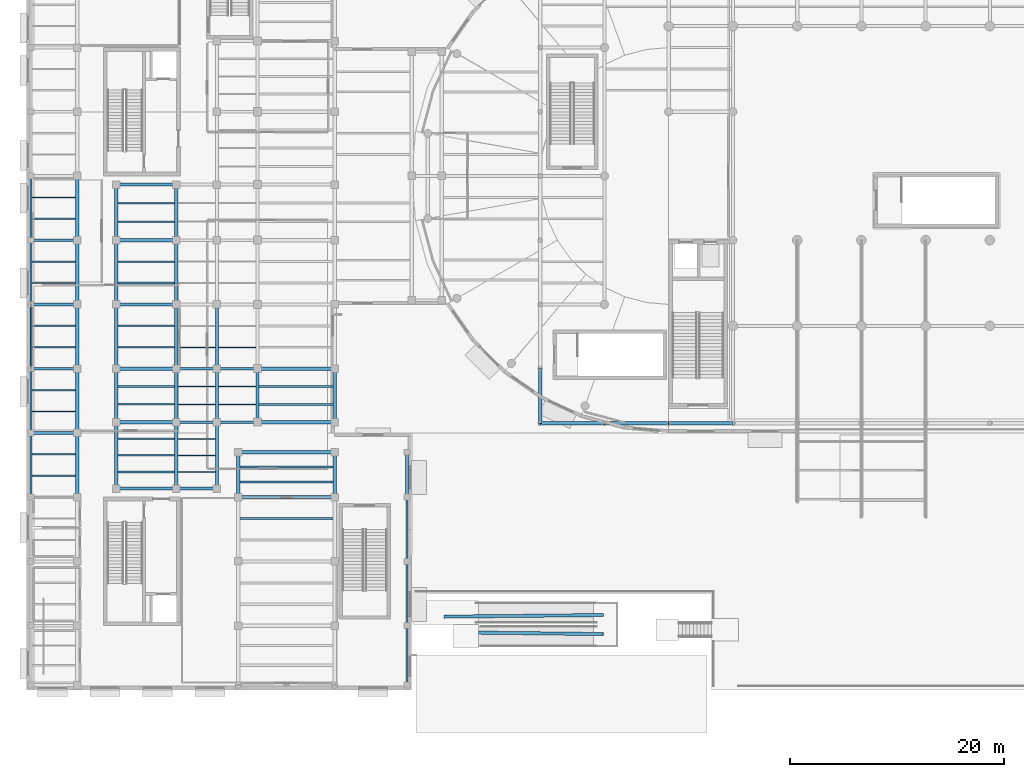
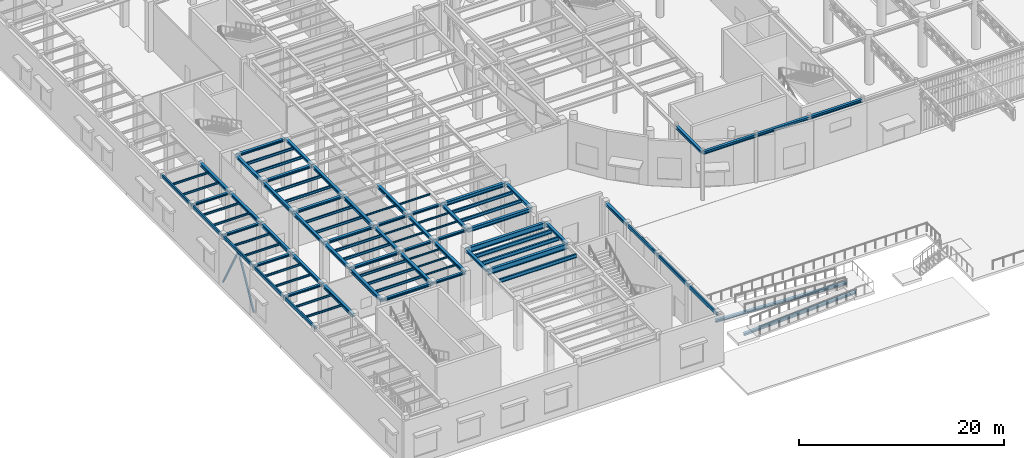
# One storey, part 19 of 118: 91 beams, 2 members.
"""IFC4 building model written with IfcOpenShell, lengths in metres."""

from ifc_helpers import new_model, si_unit, direction, frame, origin, origin_2d, place, context, subcontext, project, spatial, hollow_rectangle, i_section, extrude, material, material_profile, profile_set, type_object, element, save


model = new_model("IFC4")

# Units and contexts
model_context = context("Model", 3, precision=1e-05, world=origin(), true_north=direction((0.0, 1.0)))
body_context = subcontext(model_context, "Body", "Model", "MODEL_VIEW")
ifc_project = project(units=[si_unit("LENGTHUNIT", "METRE"), si_unit("AREAUNIT", "SQUARE_METRE"), si_unit("VOLUMEUNIT", "CUBIC_METRE"), si_unit("PLANEANGLEUNIT", "RADIAN"), si_unit("MASSUNIT", "GRAM", prefix="KILO")], contexts=[model_context])

# Site, building, storey
site_placement = place(None, origin())
site = spatial("IfcSite", under=ifc_project, at=site_placement, CompositionType="ELEMENT")
building_placement = place(site_placement, origin())
building = spatial("IfcBuilding", under=site, at=building_placement, Name="Kolvaren Corner Interchange", CompositionType="ELEMENT")
storey_placement = place(building_placement, origin())
storey = spatial("IfcBuildingStorey", under=building, at=storey_placement, Name="L01", CompositionType="ELEMENT", Elevation=0.0)

# Beams
ifc_material_1 = material(Name="Steel S355", Category="steel")
ifc_material_profile_1 = material_profile(ifc_material_1, i_section(OverallWidth=0.260009765625, OverallDepth=0.25, WebThickness=0.007568359375, FlangeThickness=0.012451171875, FilletRadius=0.02392578125, at=origin_2d()), Name="HEA 260")
ifc_profile_set_1 = profile_set([ifc_material_profile_1], Name="Steel S355")
beam_type_1 = type_object("IfcBeamType", Name="BM-HEA260", PredefinedType="BEAM", material=ifc_profile_set_1)
for number, where, z_axis, x_axis, name in (
    (1, (14.0, 18.800048828125, 5.625), (1.0, 0.0, 0.0), (0.0, 1.0, 0.0), "Storey L01 Grid X Primary Girder 0210"),
    (2, (14.0, 25.0, 5.625), (1.0, 0.0, 0.0), (0.0, 1.0, 0.0), "Storey L01 Grid X Primary Girder 0226"),
    (3, (17.800048828125, 25.0, 5.625), (1.0, 0.0, 0.0), (0.0, 1.0, 0.0), "Storey L01 Grid X Primary Girder 0227"),
    (4, (14.0, 30.0, 5.625), (1.0, 0.0, 0.0), (0.0, 1.0, 0.0), "Storey L01 Grid X Primary Girder 0230"),
    (5, (17.800048828125, 30.0, 5.625), (1.0, 0.0, 0.0), (0.0, 1.0, 0.0), "Storey L01 Grid X Primary Girder 0231"),
):
    element("IfcBeam", number, at=place(storey_placement, frame(where, z_axis=z_axis, x_axis=x_axis)), inside=storey, type_object=beam_type_1, Name=name, PredefinedType="BEAM", context=body_context, shape_type="SweptSolid", body=[
        extrude(i_section(OverallWidth=0.260009765625, OverallDepth=0.25, WebThickness=0.007568359375, FlangeThickness=0.012451171875, FilletRadius=0.02392578125, at=origin_2d()), origin(), (0.0, 0.0, 1.0), 3.800048828125),
    ])
for number, where, z_axis, x_axis, name in (
    (6, (0.449951171875, 24.0, 5.625), (1.0, 0.0, 0.0), (0.0, 1.0, 0.0), "Storey L01 Grid X Primary Girder 0393"),
    (7, (0.449951171875, 30.0, 5.625), (1.0, 0.0, 0.0), (0.0, 1.0, 0.0), "Storey L01 Grid X Primary Girder 0394"),
    (8, (0.449951171875, 36.0, 5.625), (1.0, 0.0, 0.0), (0.0, 1.0, 0.0), "Storey L01 Grid X Primary Girder 0397"),
    (9, (0.449951171875, 42.0, 5.625), (1.0, 0.0, 0.0), (0.0, 1.0, 0.0), "Storey L01 Grid X Primary Girder 0398"),
):
    element("IfcBeam", number, at=place(storey_placement, frame(where, z_axis=z_axis, x_axis=x_axis)), inside=storey, type_object=beam_type_1, Name=name, PredefinedType="BEAM", context=body_context, shape_type="SweptSolid", body=[
        extrude(i_section(OverallWidth=0.260009765625, OverallDepth=0.25, WebThickness=0.007568359375, FlangeThickness=0.012451171875, FilletRadius=0.02392578125, at=origin_2d()), origin(), (0.0, 0.0, 1.0), 4.300048828125),
    ])
ifc_material_2 = material(Name="Steel S355", Category="steel")
ifc_material_profile_2 = material_profile(ifc_material_2, i_section(OverallWidth=0.300048828125, OverallDepth=0.2900390625, WebThickness=0.008544921875, FlangeThickness=0.013916015625, FilletRadius=0.027099609375, at=origin_2d()), Name="HEA 300")
ifc_profile_set_2 = profile_set([ifc_material_profile_2], Name="Steel S355")
beam_type_2 = type_object("IfcBeamType", Name="BM-HEA300", PredefinedType="BEAM", material=ifc_profile_set_2)
beam_1_placement = place(storey_placement, frame((41.31005859375, 5.360107421875, -1.820068359375), z_axis=(0.998156655255, -0.011913488908, 0.059509329962), x_axis=(0.011934640082, 0.999928779647, 0.0)))
element("IfcBeam", 10, at=beam_1_placement, inside=storey, type_object=beam_type_2, Name="South Forecourt Accessible Plinth Ramp Lower Sloped Spine Beam", PredefinedType="BEAM", context=body_context, shape_type="SweptSolid", body=[
    extrude(i_section(OverallWidth=0.300048828125, OverallDepth=0.2900390625, WebThickness=0.008544921875, FlangeThickness=0.013916015625, FilletRadius=0.027099609375, at=origin_2d()), origin(), (0.0, 0.0, 1.0), 12.60302734375),
])
beam_2_placement = place(storey_placement, frame((53.889892578125, 6.989990234375, -1.070068359375), z_axis=(-0.99868160488, -0.010060879855, 0.05033717087), x_axis=(0.010073650412, -0.999949259496, 0.0)))
element("IfcBeam", 11, at=beam_2_placement, inside=storey, type_object=beam_type_2, Name="South Forecourt Accessible Plinth Ramp Upper Sloped Spine Beam", PredefinedType="BEAM", context=body_context, shape_type="SweptSolid", body=[
    extrude(i_section(OverallWidth=0.300048828125, OverallDepth=0.2900390625, WebThickness=0.008544921875, FlangeThickness=0.013916015625, FilletRadius=0.027099609375, at=origin_2d()), origin(), (0.0, 0.0, 1.0), 14.8994140625),
])
for number, where, z_axis, x_axis, name in (
    (12, (8.39990234375, 18.800048828125, 5.60498046875), (1.0, 0.0, 0.0), (0.0, 1.0, 0.0), "Storey L01 Grid X Primary Girder 0209"),
    (13, (8.39990234375, 25.0, 5.60498046875), (1.0, 0.0, 0.0), (0.0, 1.0, 0.0), "Storey L01 Grid X Primary Girder 0225"),
    (14, (8.39990234375, 30.0, 5.60498046875), (1.0, 0.0, 0.0), (0.0, 1.0, 0.0), "Storey L01 Grid X Primary Girder 0229"),
    (15, (8.39990234375, 36.0, 5.60498046875), (1.0, 0.0, 0.0), (0.0, 1.0, 0.0), "Storey L01 Grid X Primary Girder 0242"),
    (16, (8.39990234375, 42.0, 5.60498046875), (1.0, 0.0, 0.0), (0.0, 1.0, 0.0), "Storey L01 Grid X Primary Girder 0249"),
    (17, (8.39990234375, 47.199951171875, 5.60498046875), (1.0, 0.0, 0.0), (0.0, 1.0, 0.0), "Storey L01 Grid X Primary Girder 0254"),
):
    element("IfcBeam", number, at=place(storey_placement, frame(where, z_axis=z_axis, x_axis=x_axis)), inside=storey, type_object=beam_type_2, Name=name, PredefinedType="BEAM", context=body_context, shape_type="SweptSolid", body=[
        extrude(i_section(OverallWidth=0.300048828125, OverallDepth=0.2900390625, WebThickness=0.008544921875, FlangeThickness=0.013916015625, FilletRadius=0.027099609375, at=origin_2d()), origin(), (0.0, 0.0, 1.0), 5.60009765625),
    ])
ifc_material_3 = material(Name="Steel S355", Category="steel")
ifc_material_profile_3 = material_profile(ifc_material_3, i_section(OverallWidth=0.300048828125, OverallDepth=0.31005859375, WebThickness=0.009033203125, FlangeThickness=0.015380859375, FilletRadius=0.027099609375, at=origin_2d()), Name="HEA 320")
ifc_profile_set_3 = profile_set([ifc_material_profile_3], Name="Steel S355")
beam_type_3 = type_object("IfcBeamType", Name="BM-HEA320", PredefinedType="BEAM", material=ifc_profile_set_3)
beam_3_placement = place(storey_placement, frame((8.39990234375, 25.0, 5.594970703125), z_axis=(0.0, 1.0, 0.0), x_axis=(-1.0, 0.0, 0.0)))
element("IfcBeam", 18, at=beam_3_placement, inside=storey, type_object=beam_type_3, Name="Storey L01 Grid Y Primary Girder 0296", PredefinedType="BEAM", context=body_context, shape_type="SweptSolid", body=[
    extrude(i_section(OverallWidth=0.300048828125, OverallDepth=0.31005859375, WebThickness=0.009033203125, FlangeThickness=0.015380859375, FilletRadius=0.027099609375, at=origin_2d()), origin(), (0.0, 0.0, 1.0), 5.0),
])
beam_4_placement = place(storey_placement, frame((8.39990234375, 42.0, 5.594970703125), z_axis=(0.0, 1.0, 0.0), x_axis=(-1.0, 0.0, 0.0)))
element("IfcBeam", 19, at=beam_4_placement, inside=storey, type_object=beam_type_3, Name="Storey L01 Grid Y Primary Girder 0299", PredefinedType="BEAM", context=body_context, shape_type="SweptSolid", body=[
    extrude(i_section(OverallWidth=0.300048828125, OverallDepth=0.31005859375, WebThickness=0.009033203125, FlangeThickness=0.015380859375, FilletRadius=0.027099609375, at=origin_2d()), origin(), (0.0, 0.0, 1.0), 5.199951171875),
])
beam_5_placement = place(storey_placement, frame((14.0, 25.0, 5.594970703125), z_axis=(0.0, 1.0, 0.0), x_axis=(-1.0, 0.0, 0.0)))
element("IfcBeam", 20, at=beam_5_placement, inside=storey, type_object=beam_type_3, Name="Storey L01 Grid Y Primary Girder 0301", PredefinedType="BEAM", context=body_context, shape_type="SweptSolid", body=[
    extrude(i_section(OverallWidth=0.300048828125, OverallDepth=0.31005859375, WebThickness=0.009033203125, FlangeThickness=0.015380859375, FilletRadius=0.027099609375, at=origin_2d()), origin(), (0.0, 0.0, 1.0), 5.0),
])
beam_6_placement = place(storey_placement, frame((14.0, 42.0, 5.594970703125), z_axis=(0.0, 1.0, 0.0), x_axis=(-1.0, 0.0, 0.0)))
element("IfcBeam", 21, at=beam_6_placement, inside=storey, type_object=beam_type_3, Name="Storey L01 Grid Y Primary Girder 0304", PredefinedType="BEAM", context=body_context, shape_type="SweptSolid", body=[
    extrude(i_section(OverallWidth=0.300048828125, OverallDepth=0.31005859375, WebThickness=0.009033203125, FlangeThickness=0.015380859375, FilletRadius=0.027099609375, at=origin_2d()), origin(), (0.0, 0.0, 1.0), 5.199951171875),
])
for number, where, z_axis, x_axis, name in (
    (22, (17.800048828125, 25.0, 5.594970703125), (0.0, 1.0, 0.0), (-1.0, 0.0, 0.0), "Storey L01 Grid Y Primary Girder 0306"),
    (23, (21.60009765625, 25.0, 5.594970703125), (0.0, 1.0, 0.0), (-1.0, 0.0, 0.0), "Storey L01 Grid Y Primary Girder 0312"),
    (24, (28.800048828125, 25.0, 5.594970703125), (0.0, 1.0, 0.0), (-1.0, 0.0, 0.0), "Storey L01 Grid Y Primary Girder 0320"),
):
    element("IfcBeam", number, at=place(storey_placement, frame(where, z_axis=z_axis, x_axis=x_axis)), inside=storey, type_object=beam_type_3, Name=name, PredefinedType="BEAM", context=body_context, shape_type="SweptSolid", body=[
        extrude(i_section(OverallWidth=0.300048828125, OverallDepth=0.31005859375, WebThickness=0.009033203125, FlangeThickness=0.015380859375, FilletRadius=0.027099609375, at=origin_2d()), origin(), (0.0, 0.0, 1.0), 5.0),
    ])
beam_7_placement = place(storey_placement, frame((48.0, 24.89990234375, 5.594970703125), z_axis=(0.0, 1.0, 0.0), x_axis=(-1.0, 0.0, 0.0)))
element("IfcBeam", 25, at=beam_7_placement, inside=storey, type_object=beam_type_3, Name="Storey L01 Grid Y Primary Girder 0333", PredefinedType="BEAM", context=body_context, shape_type="SweptSolid", body=[
    extrude(i_section(OverallWidth=0.300048828125, OverallDepth=0.31005859375, WebThickness=0.009033203125, FlangeThickness=0.015380859375, FilletRadius=0.027099609375, at=origin_2d()), origin(), (0.0, 0.0, 1.0), 5.10009765625),
])
for number, where, z_axis, x_axis, name in (
    (26, (19.800048828125, 18.0, 5.594970703125), (0.0, 1.0, 0.0), (-1.0, 0.0, 0.0), "Storey L01 Grid Y Primary Girder 0481"),
    (27, (28.800048828125, 18.0, 5.594970703125), (0.0, 1.0, 0.0), (-1.0, 0.0, 0.0), "Storey L01 Grid Y Primary Girder 0487"),
    (28, (35.550048828125, 18.0, 5.594970703125), (0.0, 1.0, 0.0), (-1.0, 0.0, 0.0), "Storey L01 Grid Y Primary Girder 0493"),
):
    element("IfcBeam", number, at=place(storey_placement, frame(where, z_axis=z_axis, x_axis=x_axis)), inside=storey, type_object=beam_type_3, Name=name, PredefinedType="BEAM", context=body_context, shape_type="SweptSolid", body=[
        extrude(i_section(OverallWidth=0.300048828125, OverallDepth=0.31005859375, WebThickness=0.009033203125, FlangeThickness=0.015380859375, FilletRadius=0.027099609375, at=origin_2d()), origin(), (0.0, 0.0, 1.0), 4.199951171875),
    ])
ifc_material_4 = material(Name="Steel S355", Category="steel")
ifc_material_profile_4 = material_profile(ifc_material_4, i_section(OverallWidth=0.300048828125, OverallDepth=0.35009765625, WebThickness=0.010009765625, FlangeThickness=0.017578125, FilletRadius=0.027099609375, at=origin_2d()), Name="HEA 360")
ifc_profile_set_4 = profile_set([ifc_material_profile_4], Name="Steel S355")
beam_type_4 = type_object("IfcBeamType", Name="BM-HEA360", PredefinedType="BEAM", material=ifc_profile_set_4)
for number, where, z_axis, x_axis, name in (
    (29, (48.0, 24.89990234375, 5.574951171875), (1.0, 0.0, 0.0), (0.0, 1.0, 0.0), "Storey L01 Grid X Primary Girder 0211"),
    (30, (54.0, 24.89990234375, 5.574951171875), (1.0, 0.0, 0.0), (0.0, 1.0, 0.0), "Storey L01 Grid X Primary Girder 0212"),
    (31, (60.0, 24.89990234375, 5.574951171875), (1.0, 0.0, 0.0), (0.0, 1.0, 0.0), "Storey L01 Grid X Primary Girder 0213"),
):
    element("IfcBeam", number, at=place(storey_placement, frame(where, z_axis=z_axis, x_axis=x_axis)), inside=storey, type_object=beam_type_4, Name=name, PredefinedType="BEAM", context=body_context, shape_type="SweptSolid", body=[
        extrude(i_section(OverallWidth=0.300048828125, OverallDepth=0.35009765625, WebThickness=0.010009765625, FlangeThickness=0.017578125, FilletRadius=0.027099609375, at=origin_2d()), origin(), (0.0, 0.0, 1.0), 6.0),
    ])
ifc_material_5 = material(Name="Steel S355", Category="steel")
ifc_material_profile_5 = material_profile(ifc_material_5, i_section(OverallWidth=0.300048828125, OverallDepth=0.389892578125, WebThickness=0.010986328125, FlangeThickness=0.01904296875, FilletRadius=0.027099609375, at=origin_2d()), Name="HEA 400")
ifc_profile_set_5 = profile_set([ifc_material_profile_5], Name="Steel S355")
beam_type_5 = type_object("IfcBeamType", Name="BM-HEA400", PredefinedType="BEAM", material=ifc_profile_set_5)
beam_8_placement = place(storey_placement, frame((8.39990234375, 18.800048828125, 5.554931640625), z_axis=(0.0, 1.0, 0.0), x_axis=(-1.0, 0.0, 0.0)))
element("IfcBeam", 32, at=beam_8_placement, inside=storey, type_object=beam_type_5, Name="Storey L01 Grid Y Primary Girder 0295", PredefinedType="BEAM", context=body_context, shape_type="SweptSolid", body=[
    extrude(i_section(OverallWidth=0.300048828125, OverallDepth=0.389892578125, WebThickness=0.010986328125, FlangeThickness=0.01904296875, FilletRadius=0.027099609375, at=origin_2d()), origin(), (0.0, 0.0, 1.0), 6.199951171875),
])
for number, where, z_axis, x_axis, name in (
    (33, (8.39990234375, 30.0, 5.554931640625), (0.0, 1.0, 0.0), (-1.0, 0.0, 0.0), "Storey L01 Grid Y Primary Girder 0297"),
    (34, (8.39990234375, 36.0, 5.554931640625), (0.0, 1.0, 0.0), (-1.0, 0.0, 0.0), "Storey L01 Grid Y Primary Girder 0298"),
):
    element("IfcBeam", number, at=place(storey_placement, frame(where, z_axis=z_axis, x_axis=x_axis)), inside=storey, type_object=beam_type_5, Name=name, PredefinedType="BEAM", context=body_context, shape_type="SweptSolid", body=[
        extrude(i_section(OverallWidth=0.300048828125, OverallDepth=0.389892578125, WebThickness=0.010986328125, FlangeThickness=0.01904296875, FilletRadius=0.027099609375, at=origin_2d()), origin(), (0.0, 0.0, 1.0), 6.0),
    ])
beam_9_placement = place(storey_placement, frame((14.0, 18.800048828125, 5.554931640625), z_axis=(0.0, 1.0, 0.0), x_axis=(-1.0, 0.0, 0.0)))
element("IfcBeam", 35, at=beam_9_placement, inside=storey, type_object=beam_type_5, Name="Storey L01 Grid Y Primary Girder 0300", PredefinedType="BEAM", context=body_context, shape_type="SweptSolid", body=[
    extrude(i_section(OverallWidth=0.300048828125, OverallDepth=0.389892578125, WebThickness=0.010986328125, FlangeThickness=0.01904296875, FilletRadius=0.027099609375, at=origin_2d()), origin(), (0.0, 0.0, 1.0), 6.199951171875),
])
for number, where, z_axis, x_axis, name in (
    (36, (14.0, 30.0, 5.554931640625), (0.0, 1.0, 0.0), (-1.0, 0.0, 0.0), "Storey L01 Grid Y Primary Girder 0302"),
    (37, (14.0, 36.0, 5.554931640625), (0.0, 1.0, 0.0), (-1.0, 0.0, 0.0), "Storey L01 Grid Y Primary Girder 0303"),
):
    element("IfcBeam", number, at=place(storey_placement, frame(where, z_axis=z_axis, x_axis=x_axis)), inside=storey, type_object=beam_type_5, Name=name, PredefinedType="BEAM", context=body_context, shape_type="SweptSolid", body=[
        extrude(i_section(OverallWidth=0.300048828125, OverallDepth=0.389892578125, WebThickness=0.010986328125, FlangeThickness=0.01904296875, FilletRadius=0.027099609375, at=origin_2d()), origin(), (0.0, 0.0, 1.0), 6.0),
    ])
beam_10_placement = place(storey_placement, frame((17.800048828125, 18.800048828125, 5.554931640625), z_axis=(0.0, 1.0, 0.0), x_axis=(-1.0, 0.0, 0.0)))
element("IfcBeam", 38, at=beam_10_placement, inside=storey, type_object=beam_type_5, Name="Storey L01 Grid Y Primary Girder 0305", PredefinedType="BEAM", context=body_context, shape_type="SweptSolid", body=[
    extrude(i_section(OverallWidth=0.300048828125, OverallDepth=0.389892578125, WebThickness=0.010986328125, FlangeThickness=0.01904296875, FilletRadius=0.027099609375, at=origin_2d()), origin(), (0.0, 0.0, 1.0), 6.199951171875),
])
for number, where, z_axis, x_axis, name in (
    (39, (17.800048828125, 30.0, 5.554931640625), (0.0, 1.0, 0.0), (-1.0, 0.0, 0.0), "Storey L01 Grid Y Primary Girder 0307"),
    (40, (4.75, 18.0, 5.554931640625), (0.0, 1.0, 0.0), (-1.0, 0.0, 0.0), "Storey L01 Grid Y Primary Girder 0465"),
    (41, (4.75, 24.0, 5.554931640625), (0.0, 1.0, 0.0), (-1.0, 0.0, 0.0), "Storey L01 Grid Y Primary Girder 0466"),
    (42, (4.75, 30.0, 5.554931640625), (0.0, 1.0, 0.0), (-1.0, 0.0, 0.0), "Storey L01 Grid Y Primary Girder 0467"),
    (43, (4.75, 36.0, 5.554931640625), (0.0, 1.0, 0.0), (-1.0, 0.0, 0.0), "Storey L01 Grid Y Primary Girder 0468"),
    (44, (4.75, 42.0, 5.554931640625), (0.0, 1.0, 0.0), (-1.0, 0.0, 0.0), "Storey L01 Grid Y Primary Girder 0469"),
):
    element("IfcBeam", number, at=place(storey_placement, frame(where, z_axis=z_axis, x_axis=x_axis)), inside=storey, type_object=beam_type_5, Name=name, PredefinedType="BEAM", context=body_context, shape_type="SweptSolid", body=[
        extrude(i_section(OverallWidth=0.300048828125, OverallDepth=0.389892578125, WebThickness=0.010986328125, FlangeThickness=0.01904296875, FilletRadius=0.027099609375, at=origin_2d()), origin(), (0.0, 0.0, 1.0), 6.0),
    ])
ifc_material_6 = material(Name="Steel S355", Category="steel")
ifc_material_profile_6 = material_profile(ifc_material_6, i_section(OverallWidth=0.300048828125, OverallDepth=0.43994140625, WebThickness=0.011474609375, FlangeThickness=0.02099609375, FilletRadius=0.027099609375, at=origin_2d()), Name="HEA 450")
ifc_profile_set_6 = profile_set([ifc_material_profile_6], Name="Steel S355")
beam_type_6 = type_object("IfcBeamType", Name="BM-HEA450", PredefinedType="BEAM", material=ifc_profile_set_6)
for number, where, z_axis, x_axis, name in (
    (45, (21.60009765625, 25.0, 5.530029296875), (1.0, 0.0, 0.0), (0.0, 1.0, 0.0), "Storey L01 Grid X Primary Girder 0228"),
    (46, (21.60009765625, 30.0, 5.530029296875), (1.0, 0.0, 0.0), (0.0, 1.0, 0.0), "Storey L01 Grid X Primary Girder 0232"),
):
    element("IfcBeam", number, at=place(storey_placement, frame(where, z_axis=z_axis, x_axis=x_axis)), inside=storey, type_object=beam_type_6, Name=name, PredefinedType="BEAM", context=body_context, shape_type="SweptSolid", body=[
        extrude(i_section(OverallWidth=0.300048828125, OverallDepth=0.43994140625, WebThickness=0.011474609375, FlangeThickness=0.02099609375, FilletRadius=0.027099609375, at=origin_2d()), origin(), (0.0, 0.0, 1.0), 7.199951171875),
    ])
ifc_material_7 = material(Name="Steel S355", Category="steel")
ifc_material_profile_7 = material_profile(ifc_material_7, i_section(OverallWidth=0.300048828125, OverallDepth=0.639892578125, WebThickness=0.013427734375, FlangeThickness=0.02587890625, FilletRadius=0.027099609375, at=origin_2d()), Name="HEA 650")
ifc_profile_set_7 = profile_set([ifc_material_profile_7], Name="Steel S355")
beam_type_7 = type_object("IfcBeamType", Name="BM-HEA650", PredefinedType="BEAM", material=ifc_profile_set_7)
for number, where, z_axis, x_axis, name in (
    (47, (19.800048828125, 18.0, 5.429931640625), (1.0, 0.0, 0.0), (0.0, 1.0, 0.0), "Storey L01 Grid X Primary Girder 0388"),
    (48, (19.800048828125, 22.199951171875, 5.429931640625), (1.0, 0.0, 0.0), (0.0, 1.0, 0.0), "Storey L01 Grid X Primary Girder 0392"),
):
    element("IfcBeam", number, at=place(storey_placement, frame(where, z_axis=z_axis, x_axis=x_axis)), inside=storey, type_object=beam_type_7, Name=name, PredefinedType="BEAM", context=body_context, shape_type="SweptSolid", body=[
        extrude(i_section(OverallWidth=0.300048828125, OverallDepth=0.639892578125, WebThickness=0.013427734375, FlangeThickness=0.02587890625, FilletRadius=0.027099609375, at=origin_2d()), origin(), (0.0, 0.0, 1.0), 9.0),
    ])
ifc_material_8 = material(Name="Steel S355", Category="steel")
ifc_material_profile_8 = material_profile(ifc_material_8, i_section(OverallWidth=0.10009765625, OverallDepth=0.199951171875, WebThickness=0.005615234375, FlangeThickness=0.008544921875, FilletRadius=0.011962890625, at=origin_2d()), Name="IPE 200")
ifc_profile_set_8 = profile_set([ifc_material_profile_8], Name="Steel S355")
beam_type_8 = type_object("IfcBeamType", Name="JS-IPE200", PredefinedType="JOIST", material=ifc_profile_set_8)
for number, where, z_axis, x_axis, name in (
    (49, (14.14990234375, 20.35009765625, 5.64990234375), (1.0, 0.0, 0.0), (0.0, 1.0, 0.0), "Storey L01 Composite Floor Joist 0249"),
    (50, (14.14990234375, 21.89990234375, 5.64990234375), (1.0, 0.0, 0.0), (0.0, 1.0, 0.0), "Storey L01 Composite Floor Joist 0250"),
    (51, (14.14990234375, 23.449951171875, 5.64990234375), (1.0, 0.0, 0.0), (0.0, 1.0, 0.0), "Storey L01 Composite Floor Joist 0251"),
    (52, (14.14990234375, 26.666748046875, 5.64990234375), (1.0, 0.0, 0.0), (0.0, 1.0, 0.0), "Storey L01 Composite Floor Joist 0252"),
    (53, (14.14990234375, 28.333251953125, 5.64990234375), (1.0, 0.0, 0.0), (0.0, 1.0, 0.0), "Storey L01 Composite Floor Joist 0253"),
    (54, (14.14990234375, 32.0, 5.64990234375), (1.0, 0.0, 0.0), (0.0, 1.0, 0.0), "Storey L01 Composite Floor Joist 0254"),
    (55, (17.949951171875, 26.666748046875, 5.64990234375), (1.0, 0.0, 0.0), (0.0, 1.0, 0.0), "Storey L01 Composite Floor Joist 0260"),
    (56, (17.949951171875, 28.333251953125, 5.64990234375), (1.0, 0.0, 0.0), (0.0, 1.0, 0.0), "Storey L01 Composite Floor Joist 0261"),
    (57, (17.949951171875, 32.0, 5.64990234375), (1.0, 0.0, 0.0), (0.0, 1.0, 0.0), "Storey L01 Composite Floor Joist 0262"),
):
    element("IfcBeam", number, at=place(storey_placement, frame(where, z_axis=z_axis, x_axis=x_axis)), inside=storey, type_object=beam_type_8, Name=name, PredefinedType="JOIST", context=body_context, shape_type="SweptSolid", body=[
        extrude(i_section(OverallWidth=0.10009765625, OverallDepth=0.199951171875, WebThickness=0.005615234375, FlangeThickness=0.008544921875, FilletRadius=0.011962890625, at=origin_2d()), origin(), (0.0, 0.0, 1.0), 3.5),
    ])
ifc_material_9 = material(Name="Steel S355", Category="steel")
ifc_material_profile_9 = material_profile(ifc_material_9, i_section(OverallWidth=0.1201171875, OverallDepth=0.239990234375, WebThickness=0.006103515625, FlangeThickness=0.009765625, FilletRadius=0.014892578125, at=origin_2d()), Name="IPE 240")
ifc_profile_set_9 = profile_set([ifc_material_profile_9], Name="Steel S355")
beam_type_9 = type_object("IfcBeamType", Name="JS-IPE240", PredefinedType="JOIST", material=ifc_profile_set_9)
for number, where, z_axis, x_axis, name in (
    (58, (0.550048828125, 20.0, 5.6298828125), (1.0, 0.0, 0.0), (0.0, 1.0, 0.0), "Storey L01 Composite Floor Joist 0394"),
    (59, (0.550048828125, 22.0, 5.6298828125), (1.0, 0.0, 0.0), (0.0, 1.0, 0.0), "Storey L01 Composite Floor Joist 0395"),
    (60, (0.550048828125, 26.0, 5.6298828125), (1.0, 0.0, 0.0), (0.0, 1.0, 0.0), "Storey L01 Composite Floor Joist 0396"),
    (61, (0.550048828125, 28.0, 5.6298828125), (1.0, 0.0, 0.0), (0.0, 1.0, 0.0), "Storey L01 Composite Floor Joist 0397"),
    (62, (0.550048828125, 32.0, 5.6298828125), (1.0, 0.0, 0.0), (0.0, 1.0, 0.0), "Storey L01 Composite Floor Joist 0398"),
    (63, (0.550048828125, 34.0, 5.6298828125), (1.0, 0.0, 0.0), (0.0, 1.0, 0.0), "Storey L01 Composite Floor Joist 0399"),
    (64, (0.550048828125, 38.0, 5.6298828125), (1.0, 0.0, 0.0), (0.0, 1.0, 0.0), "Storey L01 Composite Floor Joist 0400"),
    (65, (0.550048828125, 40.0, 5.6298828125), (1.0, 0.0, 0.0), (0.0, 1.0, 0.0), "Storey L01 Composite Floor Joist 0401"),
    (66, (0.550048828125, 44.0, 5.6298828125), (1.0, 0.0, 0.0), (0.0, 1.0, 0.0), "Storey L01 Composite Floor Joist 0402"),
    (67, (0.550048828125, 46.0, 5.6298828125), (1.0, 0.0, 0.0), (0.0, 1.0, 0.0), "Storey L01 Composite Floor Joist 0403"),
):
    element("IfcBeam", number, at=place(storey_placement, frame(where, z_axis=z_axis, x_axis=x_axis)), inside=storey, type_object=beam_type_9, Name=name, PredefinedType="JOIST", context=body_context, shape_type="SweptSolid", body=[
        extrude(i_section(OverallWidth=0.1201171875, OverallDepth=0.239990234375, WebThickness=0.006103515625, FlangeThickness=0.009765625, FilletRadius=0.014892578125, at=origin_2d()), origin(), (0.0, 0.0, 1.0), 4.050048828125),
    ])
ifc_material_10 = material(Name="Steel S355", Category="steel")
ifc_material_profile_10 = material_profile(ifc_material_10, i_section(OverallWidth=0.14990234375, OverallDepth=0.300048828125, WebThickness=0.007080078125, FlangeThickness=0.0107421875, FilletRadius=0.014892578125, at=origin_2d()), Name="IPE 300")
ifc_profile_set_10 = profile_set([ifc_material_profile_10], Name="Steel S355")
beam_type_10 = type_object("IfcBeamType", Name="JS-IPE300", PredefinedType="JOIST", material=ifc_profile_set_10)
for number, where, z_axis, x_axis, name in (
    (68, (8.550048828125, 20.35009765625, 5.60009765625), (1.0, 0.0, 0.0), (0.0, 1.0, 0.0), "Storey L01 Composite Floor Joist 0238"),
    (69, (8.550048828125, 21.89990234375, 5.60009765625), (1.0, 0.0, 0.0), (0.0, 1.0, 0.0), "Storey L01 Composite Floor Joist 0239"),
    (70, (8.550048828125, 23.449951171875, 5.60009765625), (1.0, 0.0, 0.0), (0.0, 1.0, 0.0), "Storey L01 Composite Floor Joist 0240"),
    (71, (8.550048828125, 26.666748046875, 5.60009765625), (1.0, 0.0, 0.0), (0.0, 1.0, 0.0), "Storey L01 Composite Floor Joist 0241"),
    (72, (8.550048828125, 28.333251953125, 5.60009765625), (1.0, 0.0, 0.0), (0.0, 1.0, 0.0), "Storey L01 Composite Floor Joist 0242"),
    (73, (8.550048828125, 32.0, 5.60009765625), (1.0, 0.0, 0.0), (0.0, 1.0, 0.0), "Storey L01 Composite Floor Joist 0243"),
    (74, (8.550048828125, 34.0, 5.60009765625), (1.0, 0.0, 0.0), (0.0, 1.0, 0.0), "Storey L01 Composite Floor Joist 0244"),
    (75, (8.550048828125, 38.0, 5.60009765625), (1.0, 0.0, 0.0), (0.0, 1.0, 0.0), "Storey L01 Composite Floor Joist 0245"),
    (76, (8.550048828125, 40.0, 5.60009765625), (1.0, 0.0, 0.0), (0.0, 1.0, 0.0), "Storey L01 Composite Floor Joist 0246"),
    (77, (8.550048828125, 43.7333984375, 5.60009765625), (1.0, 0.0, 0.0), (0.0, 1.0, 0.0), "Storey L01 Composite Floor Joist 0247"),
    (78, (8.550048828125, 45.466796875, 5.60009765625), (1.0, 0.0, 0.0), (0.0, 1.0, 0.0), "Storey L01 Composite Floor Joist 0248"),
):
    element("IfcBeam", number, at=place(storey_placement, frame(where, z_axis=z_axis, x_axis=x_axis)), inside=storey, type_object=beam_type_10, Name=name, PredefinedType="JOIST", context=body_context, shape_type="SweptSolid", body=[
        extrude(i_section(OverallWidth=0.14990234375, OverallDepth=0.300048828125, WebThickness=0.007080078125, FlangeThickness=0.0107421875, FilletRadius=0.014892578125, at=origin_2d()), origin(), (0.0, 0.0, 1.0), 5.300048828125),
    ])
ifc_material_11 = material(Name="Steel S355", Category="steel")
ifc_material_profile_11 = material_profile(ifc_material_11, i_section(OverallWidth=0.169921875, OverallDepth=0.360107421875, WebThickness=0.008056640625, FlangeThickness=0.0126953125, FilletRadius=0.01806640625, at=origin_2d()), Name="IPE 360")
ifc_profile_set_11 = profile_set([ifc_material_profile_11], Name="Steel S355")
beam_type_11 = type_object("IfcBeamType", Name="JS-IPE360", PredefinedType="JOIST", material=ifc_profile_set_11)
for number, where, z_axis, x_axis, name in (
    (79, (21.75, 26.666748046875, 5.570068359375), (1.0, 0.0, 0.0), (0.0, 1.0, 0.0), "Storey L01 Composite Floor Joist 0274"),
    (80, (21.75, 28.333251953125, 5.570068359375), (1.0, 0.0, 0.0), (0.0, 1.0, 0.0), "Storey L01 Composite Floor Joist 0275"),
):
    element("IfcBeam", number, at=place(storey_placement, frame(where, z_axis=z_axis, x_axis=x_axis)), inside=storey, type_object=beam_type_11, Name=name, PredefinedType="JOIST", context=body_context, shape_type="SweptSolid", body=[
        extrude(i_section(OverallWidth=0.169921875, OverallDepth=0.360107421875, WebThickness=0.008056640625, FlangeThickness=0.0126953125, FilletRadius=0.01806640625, at=origin_2d()), origin(), (0.0, 0.0, 1.0), 6.89990234375),
    ])
ifc_material_12 = material(Name="Steel S355", Category="steel")
ifc_material_profile_12 = material_profile(ifc_material_12, i_section(OverallWidth=0.18994140625, OverallDepth=0.449951171875, WebThickness=0.009521484375, FlangeThickness=0.0146484375, FilletRadius=0.02099609375, at=origin_2d()), Name="IPE 450")
ifc_profile_set_12 = profile_set([ifc_material_profile_12], Name="Steel S355")
beam_type_12 = type_object("IfcBeamType", Name="JS-IPE450", PredefinedType="JOIST", material=ifc_profile_set_12)
for number, where, z_axis, x_axis, name in (
    (81, (19.949951171875, 16.0, 5.52490234375), (1.0, 0.0, 0.0), (0.0, 1.0, 0.0), "Storey L01 Composite Floor Joist 0428"),
    (82, (19.949951171875, 19.39990234375, 5.52490234375), (1.0, 0.0, 0.0), (0.0, 1.0, 0.0), "Storey L01 Composite Floor Joist 0429"),
    (83, (19.949951171875, 20.800048828125, 5.52490234375), (1.0, 0.0, 0.0), (0.0, 1.0, 0.0), "Storey L01 Composite Floor Joist 0430"),
):
    element("IfcBeam", number, at=place(storey_placement, frame(where, z_axis=z_axis, x_axis=x_axis)), inside=storey, type_object=beam_type_12, Name=name, PredefinedType="JOIST", context=body_context, shape_type="SweptSolid", body=[
        extrude(i_section(OverallWidth=0.18994140625, OverallDepth=0.449951171875, WebThickness=0.009521484375, FlangeThickness=0.0146484375, FilletRadius=0.02099609375, at=origin_2d()), origin(), (0.0, 0.0, 1.0), 8.699951171875),
    ])

# Members
ifc_material_13 = material(Name="Steel S355", Category="steel")
ifc_material_profile_13 = material_profile(ifc_material_13, hollow_rectangle(XDim=0.179931640625, YDim=0.179931640625, WallThickness=0.010009765625, InnerFilletRadius=0.010009765625, OuterFilletRadius=0.02001953125, at=origin_2d()), Name="SHS 180x180x10.0")
ifc_profile_set_13 = profile_set([ifc_material_profile_13], Name="Steel S355")
member_type = type_object("IfcMemberType", Name="MEM-BR-SHS180", PredefinedType="BRACE", material=ifc_profile_set_13)
for number, where, z_axis, x_axis, name in (
    (84, (0.449951171875, 30.0, 0.1201171875), (0.0, 0.48189917876, 0.876226672448), (-1.0, 0.0, 0.0), "Storey L01 Lateral Chevron Steel Brace 06 Left"),
    (85, (0.449951171875, 36.0, 0.1201171875), (0.0, -0.48189917876, 0.876226672448), (1.0, 0.0, 0.0), "Storey L01 Lateral Chevron Steel Brace 06 Right"),
):
    element("IfcMember", number, at=place(storey_placement, frame(where, z_axis=z_axis, x_axis=x_axis)), inside=storey, type_object=member_type, Name=name, PredefinedType="BRACE", context=body_context, shape_type="SweptSolid", body=[
        extrude(hollow_rectangle(XDim=0.179931640625, YDim=0.179931640625, WallThickness=0.010009765625, InnerFilletRadius=0.010009765625, OuterFilletRadius=0.02001953125, at=origin_2d()), origin(), (0.0, 0.0, 1.0), 6.225341796875),
    ])

# Beams
ifc_material_14 = material(Name="Steel S355", Category="steel")
ifc_material_profile_14 = material_profile(ifc_material_14, hollow_rectangle(XDim=0.199951171875, YDim=0.35009765625, WallThickness=0.012451171875, InnerFilletRadius=0.012451171875, OuterFilletRadius=0.02490234375, at=origin_2d()), Name="RHS 350x200x12.5")
ifc_profile_set_14 = profile_set([ifc_material_profile_14], Name="Steel S355")
beam_type_13 = type_object("IfcBeamType", Name="SP-RHS350", PredefinedType="SPANDREL", material=ifc_profile_set_14)
for number, where, z_axis, x_axis, name in (
    (86, (0.449951171875, 18.0, 5.574951171875), (0.0, 1.0, 0.0), (-1.0, 0.0, 0.0), "Storey L01 Grid Y Primary Girder 0451"),
    (87, (0.449951171875, 24.0, 5.574951171875), (0.0, 1.0, 0.0), (-1.0, 0.0, 0.0), "Storey L01 Grid Y Primary Girder 0452"),
    (88, (0.449951171875, 30.0, 5.574951171875), (0.0, 1.0, 0.0), (-1.0, 0.0, 0.0), "Storey L01 Grid Y Primary Girder 0453"),
    (89, (0.449951171875, 36.0, 5.574951171875), (0.0, 1.0, 0.0), (-1.0, 0.0, 0.0), "Storey L01 Grid Y Primary Girder 0454"),
    (90, (0.449951171875, 42.0, 5.574951171875), (0.0, 1.0, 0.0), (-1.0, 0.0, 0.0), "Storey L01 Grid Y Primary Girder 0455"),
):
    element("IfcBeam", number, at=place(storey_placement, frame(where, z_axis=z_axis, x_axis=x_axis)), inside=storey, type_object=beam_type_13, Name=name, PredefinedType="SPANDREL", context=body_context, shape_type="SweptSolid", body=[
        extrude(hollow_rectangle(XDim=0.199951171875, YDim=0.35009765625, WallThickness=0.012451171875, InnerFilletRadius=0.012451171875, OuterFilletRadius=0.02490234375, at=origin_2d()), origin(), (0.0, 0.0, 1.0), 6.0),
    ])
ifc_material_15 = material(Name="Steel S355", Category="steel")
ifc_material_profile_15 = material_profile(ifc_material_15, hollow_rectangle(XDim=0.199951171875, YDim=0.39990234375, WallThickness=0.012451171875, InnerFilletRadius=0.012451171875, OuterFilletRadius=0.02490234375, at=origin_2d()), Name="RHS 400x200x12.5")
ifc_profile_set_15 = profile_set([ifc_material_profile_15], Name="Steel S355")
beam_type_14 = type_object("IfcBeamType", Name="SP-RHS400", PredefinedType="SPANDREL", material=ifc_profile_set_15)
beam_11_placement = place(storey_placement, frame((35.550048828125, 0.449951171875, 5.550048828125), z_axis=(0.0, 1.0, 0.0), x_axis=(-1.0, 0.0, 0.0)))
element("IfcBeam", 91, at=beam_11_placement, inside=storey, type_object=beam_type_14, Name="Storey L01 Grid Y Primary Girder 0490", PredefinedType="SPANDREL", context=body_context, shape_type="SweptSolid", body=[
    extrude(hollow_rectangle(XDim=0.199951171875, YDim=0.39990234375, WallThickness=0.012451171875, InnerFilletRadius=0.012451171875, OuterFilletRadius=0.02490234375, at=origin_2d()), origin(), (0.0, 0.0, 1.0), 5.550048828125),
])
for number, where, z_axis, x_axis, name in (
    (92, (35.550048828125, 6.0, 5.550048828125), (0.0, 1.0, 0.0), (-1.0, 0.0, 0.0), "Storey L01 Grid Y Primary Girder 0491"),
    (93, (35.550048828125, 12.0, 5.550048828125), (0.0, 1.0, 0.0), (-1.0, 0.0, 0.0), "Storey L01 Grid Y Primary Girder 0492"),
):
    element("IfcBeam", number, at=place(storey_placement, frame(where, z_axis=z_axis, x_axis=x_axis)), inside=storey, type_object=beam_type_14, Name=name, PredefinedType="SPANDREL", context=body_context, shape_type="SweptSolid", body=[
        extrude(hollow_rectangle(XDim=0.199951171875, YDim=0.39990234375, WallThickness=0.012451171875, InnerFilletRadius=0.012451171875, OuterFilletRadius=0.02490234375, at=origin_2d()), origin(), (0.0, 0.0, 1.0), 6.0),
    ])

save(model, "model.ifc")
